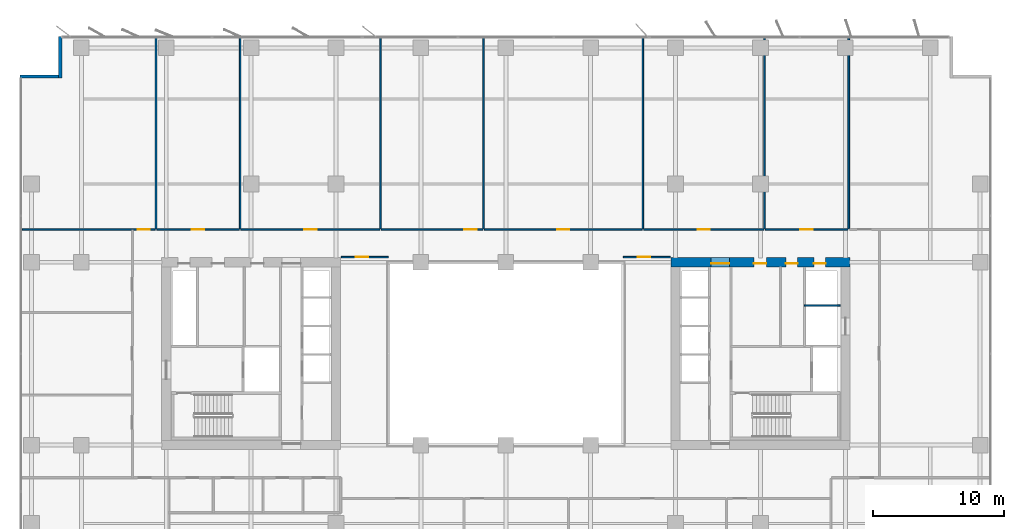
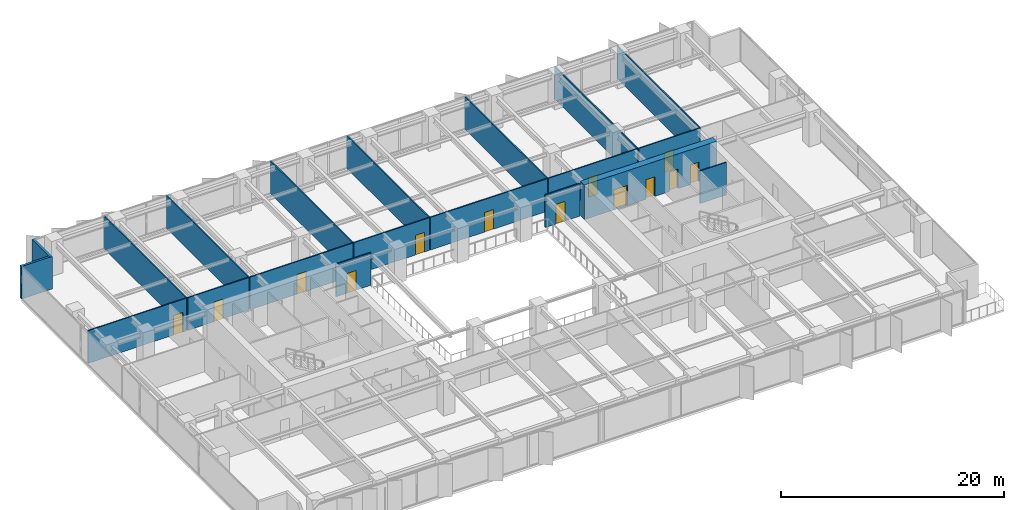
# One storey, part 15 of 20: 20 walls, 13 doors, 13 openings.
"""IFC4 building model written with IfcOpenShell, lengths in metres."""

from ifc_helpers import new_model, si_unit, direction, frame, frame_2d, origin, place, context, subcontext, project, spatial, rectangle, extrude, material, layer, layer_set, type_object, element, fill, save


model = new_model("IFC4")

# Units and contexts
model_context = context("Model", 3, precision=1e-05, world=origin(), true_north=direction((0.0, 1.0)))
body_context = subcontext(model_context, "Body", "Model", "MODEL_VIEW")
ifc_project = project(units=[si_unit("LENGTHUNIT", "METRE"), si_unit("AREAUNIT", "SQUARE_METRE"), si_unit("VOLUMEUNIT", "CUBIC_METRE"), si_unit("PLANEANGLEUNIT", "RADIAN"), si_unit("MASSUNIT", "GRAM", prefix="KILO")], contexts=[model_context])

# Site, building, storey
site_placement = place(None, origin())
site = spatial("IfcSite", under=ifc_project, at=site_placement, CompositionType="ELEMENT")
building_placement = place(site_placement, origin())
building = spatial("IfcBuilding", under=site, at=building_placement, Name="Putna Gate Headquarters", CompositionType="ELEMENT")
storey_placement = place(building_placement, frame((0.0, 0.0, 116.39990234375)))
storey = spatial("IfcBuildingStorey", under=building, at=storey_placement, Name="L28", CompositionType="ELEMENT", Elevation=116.39990234375)

# Wall, openings, doors
ifc_material_1 = material(Name="Concrete C60/75", Category="concrete")
ifc_layer_1 = layer(ifc_material_1, 0.699951171875)
ifc_layer_set_1 = layer_set([ifc_layer_1], Name="Concrete C60/75")
wall_type_1 = type_object("IfcWallType", Name="WALL-CORE-700", PredefinedType="SHEAR", material=ifc_layer_set_1)
wall_1_placement = place(storey_placement, frame((51.64990234375, 33.0, 0.0), z_axis=(0.0, 0.0, 1.0), x_axis=(1.0, 0.0, 0.0)))
wall_1 = element("IfcWall", 1, at=wall_1_placement, inside=storey, type_object=wall_type_1, Name="L28 EC Split Core Shear Wall N", PredefinedType="SHEAR", context=body_context, shape_type="SweptSolid", body=[
    extrude(rectangle(XDim=13.7001953125, YDim=0.699951171875, at=frame_2d((6.85009765625, 0.0))), origin(), (0.0, 0.0, 1.0), 3.800048828125),
])
opening_1_placement = place(wall_1_placement, frame((3.070068359375, 0.0, 0.0)))
opening_1 = element("IfcOpeningElement", 2, at=opening_1_placement, cuts=wall_1, Name="Opening FDD-140", PredefinedType="OPENING", context=body_context, shape_type="SweptSolid", body=[
    extrude(rectangle(XDim=1.39990234375, YDim=2.199951171875, at=frame_2d((0.699951171875, 1.10009765625))), frame((0.0, 0.35986328125, 0.0), z_axis=(0.0, -1.0, 0.0), x_axis=(1.0, 0.0, 0.0)), (0.0, 0.0, 1.0), 0.719970703125),
])
opening_2_placement = place(wall_1_placement, frame((10.949951171875, 0.0, 0.0)))
opening_2 = element("IfcOpeningElement", 3, at=opening_2_placement, cuts=wall_1, Name="Opening RD-90", PredefinedType="OPENING", context=body_context, shape_type="SweptSolid", body=[
    extrude(rectangle(XDim=0.89990234375, YDim=2.14990234375, at=frame_2d((0.449951171875, 1.074951171875))), frame((0.0, 0.35986328125, 0.0), z_axis=(0.0, -1.0, 0.0), x_axis=(1.0, 0.0, 0.0)), (0.0, 0.0, 1.0), 0.719970703125),
])
opening_3_placement = place(wall_1_placement, frame((6.35009765625, 0.0, 0.0)))
opening_3 = element("IfcOpeningElement", 4, at=opening_3_placement, cuts=wall_1, Name="Opening IDS-95", PredefinedType="OPENING", context=body_context, shape_type="SweptSolid", body=[
    extrude(rectangle(XDim=0.949951171875, YDim=2.14990234375, at=frame_2d((0.47509765625, 1.074951171875))), frame((0.0, 0.35986328125, 0.0), z_axis=(0.0, -1.0, 0.0), x_axis=(1.0, 0.0, 0.0)), (0.0, 0.0, 1.0), 0.719970703125),
])
opening_4_placement = place(wall_1_placement, frame((8.800048828125, 0.0, 0.0)))
opening_4 = element("IfcOpeningElement", 5, at=opening_4_placement, cuts=wall_1, Name="Opening IDS-90", PredefinedType="OPENING", context=body_context, shape_type="SweptSolid", body=[
    extrude(rectangle(XDim=0.89990234375, YDim=2.14990234375, at=frame_2d((0.449951171875, 1.074951171875))), frame((0.0, 0.35986328125, 0.0), z_axis=(0.0, -1.0, 0.0), x_axis=(1.0, 0.0, 0.0)), (0.0, 0.0, 1.0), 0.719970703125),
])
ifc_material_2 = material(Name="Double steel fire door", Category="steel")
door_type_1 = type_object("IfcDoorType", Name="DOOR-FIRE-DBL-1400", OperationType="DOUBLE_DOOR_SINGLE_SWING", PredefinedType="DOOR", material=ifc_material_2)
door_1_placement = place(opening_1_placement, origin())
door_1 = element("IfcDoor", 6, at=door_1_placement, inside=storey, type_object=door_type_1, Name="L28 East Lift Lobby North Door", OperationType="DOUBLE_DOOR_SINGLE_SWING", OverallHeight=2.199951171875, OverallWidth=1.39990234375, PredefinedType="DOOR", context=body_context, shape_type="SweptSolid", body=[
    extrude(rectangle(XDim=1.39990234375, YDim=2.199951171875, at=frame_2d((0.699951171875, 1.10009765625))), frame((0.0, -0.0751953125, 0.0), z_axis=(0.0, -1.0, 0.0), x_axis=(1.0, 0.0, 0.0)), (0.0, 0.0, 1.0), 0.050048828125),
])
fill(opening_1, door_1)
ifc_material_3 = material(Name="Fire-rated utility door")
door_type_2 = type_object("IfcDoorType", Name="DOOR-INT-900", OperationType="NOTDEFINED", PredefinedType="DOOR", material=ifc_material_3)
door_2_placement = place(opening_4_placement, origin())
door_2 = element("IfcDoor", 7, at=door_2_placement, inside=storey, type_object=door_type_2, Name="L28 Electrical Plant Door", OperationType="SINGLE_SWING_LEFT", OverallHeight=2.14990234375, OverallWidth=0.89990234375, PredefinedType="DOOR", context=body_context, shape_type="SweptSolid", body=[
    extrude(rectangle(XDim=0.89990234375, YDim=2.14990234375, at=frame_2d((0.449951171875, 1.074951171875))), frame((0.0, -0.0751953125, 0.0), z_axis=(0.0, -1.0, 0.0), x_axis=(1.0, 0.0, 0.0)), (0.0, 0.0, 1.0), 0.050048828125),
])
fill(opening_4, door_2)
ifc_material_4 = material(Name="Fire-rated service timber door", Category="wood")
door_type_3 = type_object("IfcDoorType", Name="DOOR-INT-950", OperationType="NOTDEFINED", PredefinedType="DOOR", material=ifc_material_4)
door_3_placement = place(opening_3_placement, origin())
door_3 = element("IfcDoor", 8, at=door_3_placement, inside=storey, type_object=door_type_3, Name="L28 East Store Door", OperationType="SINGLE_SWING_RIGHT", OverallHeight=2.14990234375, OverallWidth=0.949951171875, PredefinedType="DOOR", context=body_context, shape_type="SweptSolid", body=[
    extrude(rectangle(XDim=0.949951171875, YDim=2.14990234375, at=frame_2d((0.47509765625, 1.074951171875))), frame((0.0, -0.0751953125, 0.0), z_axis=(0.0, -1.0, 0.0), x_axis=(1.0, 0.0, 0.0)), (0.0, 0.0, 1.0), 0.050048828125),
])
fill(opening_3, door_3)
ifc_material_5 = material(Name="Steel riser access fire door", Category="steel")
door_type_4 = type_object("IfcDoorType", Name="DOOR-RISER-900", OperationType="NOTDEFINED", PredefinedType="DOOR", material=ifc_material_5)
door_4_placement = place(opening_2_placement, origin())
door_4 = element("IfcDoor", 9, at=door_4_placement, inside=storey, type_object=door_type_4, Name="L28 East Riser Access Door", OperationType="SINGLE_SWING_LEFT", OverallHeight=2.14990234375, OverallWidth=0.89990234375, PredefinedType="DOOR", context=body_context, shape_type="SweptSolid", body=[
    extrude(rectangle(XDim=0.89990234375, YDim=2.14990234375, at=frame_2d((0.449951171875, 1.074951171875))), frame((0.0, -0.0751953125, 0.0), z_axis=(0.0, -1.0, 0.0), x_axis=(1.0, 0.0, 0.0)), (0.0, 0.0, 1.0), 0.050048828125),
])
fill(opening_2, door_4)

# Walls
ifc_material_6 = material(Name="Precast concrete C40/50", Category="concrete")
ifc_layer_2 = layer(ifc_material_6, 0.239990234375)
ifc_layer_set_2 = layer_set([ifc_layer_2], Name="Precast concrete C40/50")
wall_type_2 = type_object("IfcWallType", Name="WALL-EXT-TERR-240", PredefinedType="STANDARD", material=ifc_layer_set_2)
for number, where, z_axis, x_axis, name in (
    (10, (4.8798828125, 47.10009765625, 0.0), (0.0, 0.0, 1.0), (0.0, 1.0, 0.0), "L28 Corner Notch Return Wall NW-V"),
    (11, (1.800048828125, 47.219970703125, 0.0), (0.0, 0.0, 1.0), (1.0, 0.0, 0.0), "L28 Corner Notch Return Wall NW-H"),
):
    element("IfcWall", number, at=place(storey_placement, frame(where, z_axis=z_axis, x_axis=x_axis)), inside=storey, type_object=wall_type_2, Name=name, PredefinedType="STANDARD", context=body_context, shape_type="SweptSolid", body=[
        extrude(rectangle(XDim=3.199951171875, YDim=0.239990234375, at=frame_2d((1.60009765625, 0.0))), origin(), (0.0, 0.0, 1.0), 3.565185546875),
    ])

# Wall, opening, door
ifc_material_7 = material(Name="Acoustic gypsum board on metal stud")
ifc_layer_3 = layer(ifc_material_7, 0.1201171875)
ifc_layer_set_3 = layer_set([ifc_layer_3], Name="Acoustic gypsum board on metal stud")
wall_type_3 = type_object("IfcWallType", Name="WALL-PART-120", PredefinedType="PARTITIONING", material=ifc_layer_set_3)
wall_2_placement = place(storey_placement, frame((26.39990234375, 33.39990234375, 0.0), z_axis=(0.0, 0.0, 1.0), x_axis=(1.0, 0.0, 0.0)))
wall_2 = element("IfcWall", 12, at=wall_2_placement, inside=storey, type_object=wall_type_3, Name="L28 Interior Wall PART-L28-ATR-W-N", PredefinedType="PARTITIONING", context=body_context, shape_type="SweptSolid", body=[
    extrude(rectangle(XDim=3.60009765625, YDim=0.1201171875, at=frame_2d((1.800048828125, 0.0))), origin(), (0.0, 0.0, 1.0), 3.565185546875),
])
opening_5_placement = place(wall_2_placement, frame((1.10009765625, 0.0, 0.0)))
opening_5 = element("IfcOpeningElement", 13, at=opening_5_placement, cuts=wall_2, Name="Opening ID-95", PredefinedType="OPENING", context=body_context, shape_type="SweptSolid", body=[
    extrude(rectangle(XDim=0.949951171875, YDim=2.14990234375, at=frame_2d((0.47509765625, 1.074951171875))), frame((0.0, 0.070068359375, 0.0), z_axis=(0.0, -1.0, 0.0), x_axis=(1.0, 0.0, 0.0)), (0.0, 0.0, 1.0), 0.14013671875),
])
ifc_material_8 = material(Name="Veneered acoustic timber door", Category="wood")
door_type_5 = type_object("IfcDoorType", Name="DOOR-OFF-950", OperationType="NOTDEFINED", PredefinedType="DOOR", material=ifc_material_8)
door_5_placement = place(opening_5_placement, origin())
door_5 = element("IfcDoor", 14, at=door_5_placement, inside=storey, type_object=door_type_5, Name="L28 West Atrium Lounge Door", OperationType="SINGLE_SWING_LEFT", OverallHeight=2.14990234375, OverallWidth=0.949951171875, PredefinedType="DOOR", context=body_context, shape_type="SweptSolid", body=[
    extrude(rectangle(XDim=0.949951171875, YDim=2.14990234375, at=frame_2d((0.47509765625, 1.074951171875))), frame((0.0, 0.02490234375, 0.0), z_axis=(0.0, -1.0, 0.0), x_axis=(1.0, 0.0, 0.0)), (0.0, 0.0, 1.0), 0.050048828125),
])
fill(opening_5, door_5)

wall_3_placement = place(storey_placement, frame((48.0, 33.39990234375, 0.0), z_axis=(0.0, 0.0, 1.0), x_axis=(1.0, 0.0, 0.0)))
wall_3 = element("IfcWall", 15, at=wall_3_placement, inside=storey, type_object=wall_type_3, Name="L28 Interior Wall PART-L28-ATR-E-N", PredefinedType="PARTITIONING", context=body_context, shape_type="SweptSolid", body=[
    extrude(rectangle(XDim=3.60009765625, YDim=0.1201171875, at=frame_2d((1.800048828125, 0.0))), origin(), (0.0, 0.0, 1.0), 3.565185546875),
])
opening_6_placement = place(wall_3_placement, frame((1.10009765625, 0.0, 0.0)))
opening_6 = element("IfcOpeningElement", 16, at=opening_6_placement, cuts=wall_3, Name="Opening ID-95", PredefinedType="OPENING", context=body_context, shape_type="SweptSolid", body=[
    extrude(rectangle(XDim=0.949951171875, YDim=2.14990234375, at=frame_2d((0.47509765625, 1.074951171875))), frame((0.0, 0.070068359375, 0.0), z_axis=(0.0, -1.0, 0.0), x_axis=(1.0, 0.0, 0.0)), (0.0, 0.0, 1.0), 0.14013671875),
])
door_6_placement = place(opening_6_placement, origin())
door_6 = element("IfcDoor", 17, at=door_6_placement, inside=storey, type_object=door_type_5, Name="L28 East Atrium Lounge Door", OperationType="SINGLE_SWING_RIGHT", OverallHeight=2.14990234375, OverallWidth=0.949951171875, PredefinedType="DOOR", context=body_context, shape_type="SweptSolid", body=[
    extrude(rectangle(XDim=0.949951171875, YDim=2.14990234375, at=frame_2d((0.47509765625, 1.074951171875))), frame((0.0, 0.02490234375, 0.0), z_axis=(0.0, -1.0, 0.0), x_axis=(1.0, 0.0, 0.0)), (0.0, 0.0, 1.0), 0.050048828125),
])
fill(opening_6, door_6)

# Walls
for number, where, z_axis, x_axis, name in (
    (18, (12.21240234375, 35.56005859375, 0.0), (0.0, 0.0, 1.0), (0.0, 1.0, 0.0), "L28 Interior Wall PART-L28-NB-DIV-01"),
    (19, (18.65380859375, 35.56005859375, 0.0), (0.0, 0.0, 1.0), (0.0, 1.0, 0.0), "L28 Interior Wall PART-L28-NB-DIV-02"),
    (20, (29.411865234375, 35.56005859375, 0.0), (0.0, 0.0, 1.0), (0.0, 1.0, 0.0), "L28 Interior Wall PART-L28-NB-DIV-03"),
    (21, (37.297119140625, 35.56005859375, 0.0), (0.0, 0.0, 1.0), (0.0, 1.0, 0.0), "L28 Interior Wall PART-L28-NB-DIV-04"),
    (22, (49.498779296875, 35.56005859375, 0.0), (0.0, 0.0, 1.0), (0.0, 1.0, 0.0), "L28 Interior Wall PART-L28-NB-DIV-05"),
    (23, (58.820556640625, 35.56005859375, 0.0), (0.0, 0.0, 1.0), (0.0, 1.0, 0.0), "L28 Interior Wall PART-L28-NB-DIV-06"),
    (24, (65.261962890625, 35.56005859375, 0.0), (0.0, 0.0, 1.0), (0.0, 1.0, 0.0), "L28 Interior Wall PART-L28-NB-DIV-07"),
):
    element("IfcWall", number, at=place(storey_placement, frame(where, z_axis=z_axis, x_axis=x_axis)), inside=storey, type_object=wall_type_3, Name=name, PredefinedType="PARTITIONING", context=body_context, shape_type="SweptSolid", body=[
        extrude(rectangle(XDim=14.719970703125, YDim=0.1201171875, at=frame_2d((7.35986328125, 0.0))), origin(), (0.0, 0.0, 1.0), 3.565185546875),
    ])
ifc_material_9 = material(Name="Fire-rated shaftwall gypsum board on metal stud")
ifc_layer_4 = layer(ifc_material_9, 0.1201171875)
ifc_layer_set_4 = layer_set([ifc_layer_4], Name="Fire-rated shaftwall gypsum board on metal stud")
wall_type_4 = type_object("IfcWallType", Name="WALL-PART-120-EI120", PredefinedType="PARTITIONING", material=ifc_layer_set_4)
wall_4_placement = place(storey_placement, frame((61.8701171875, 29.699951171875, 0.0), z_axis=(0.0, 0.0, 1.0), x_axis=(1.0, 0.0, 0.0)))
element("IfcWall", 25, at=wall_4_placement, inside=storey, type_object=wall_type_4, Name="L28 Interior Wall CWINT-L28-EC-LF15-N", PredefinedType="PARTITIONING", context=body_context, shape_type="SweptSolid", body=[
    extrude(rectangle(XDim=2.72998046875, YDim=0.1201171875, at=frame_2d((1.364990234375, 0.0))), origin(), (0.0, 0.0, 1.0), 3.565185546875),
])

# Wall, opening, door
ifc_material_10 = material(Name="Fire-rated gypsum board on metal stud")
ifc_layer_5 = layer(ifc_material_10, 0.1201171875)
ifc_layer_set_5 = layer_set([ifc_layer_5], Name="Fire-rated gypsum board on metal stud")
wall_type_5 = type_object("IfcWallType", Name="WALL-PART-120-RATED", PredefinedType="PARTITIONING", material=ifc_layer_set_5)
wall_5_placement = place(storey_placement, frame((1.97998046875, 35.5, 0.0), z_axis=(0.0, 0.0, 1.0), x_axis=(1.0, 0.0, 0.0)))
wall_5 = element("IfcWall", 26, at=wall_5_placement, inside=storey, type_object=wall_type_5, Name="L28 Interior Wall PART-L28-NB-CW-01", PredefinedType="PARTITIONING", context=body_context, shape_type="SweptSolid", body=[
    extrude(rectangle(XDim=10.17236328125, YDim=0.1201171875, at=frame_2d((5.086181640625, 0.0))), origin(), (0.0, 0.0, 1.0), 3.565185546875),
])
opening_7_placement = place(wall_5_placement, frame((8.8212890625, 0.0, 0.0)))
opening_7 = element("IfcOpeningElement", 27, at=opening_7_placement, cuts=wall_5, Name="Opening FD-95", PredefinedType="OPENING", context=body_context, shape_type="SweptSolid", body=[
    extrude(rectangle(XDim=0.949951171875, YDim=2.14990234375, at=frame_2d((0.47509765625, 1.074951171875))), frame((0.0, 0.070068359375, 0.0), z_axis=(0.0, -1.0, 0.0), x_axis=(1.0, 0.0, 0.0)), (0.0, 0.0, 1.0), 0.14013671875),
])
ifc_material_11 = material(Name="Acoustic timber fire door", Category="wood")
door_type_6 = type_object("IfcDoorType", Name="DOOR-FIRE-950", OperationType="NOTDEFINED", PredefinedType="DOOR", material=ifc_material_11)
door_7_placement = place(opening_7_placement, origin())
door_7 = element("IfcDoor", 28, at=door_7_placement, inside=storey, type_object=door_type_6, Name="L28 Quiet Wellness Focus Studio 1 Door", OperationType="SINGLE_SWING_LEFT", OverallHeight=2.14990234375, OverallWidth=0.949951171875, PredefinedType="DOOR", context=body_context, shape_type="SweptSolid", body=[
    extrude(rectangle(XDim=0.949951171875, YDim=2.14990234375, at=frame_2d((0.47509765625, 1.074951171875))), frame((0.0, 0.02490234375, 0.0), z_axis=(0.0, -1.0, 0.0), x_axis=(1.0, 0.0, 0.0)), (0.0, 0.0, 1.0), 0.050048828125),
])
fill(opening_7, door_7)

wall_6_placement = place(storey_placement, frame((12.272216796875, 35.5, 0.0), z_axis=(0.0, 0.0, 1.0), x_axis=(1.0, 0.0, 0.0)))
wall_6 = element("IfcWall", 29, at=wall_6_placement, inside=storey, type_object=wall_type_5, Name="L28 Interior Wall PART-L28-NB-CW-02", PredefinedType="PARTITIONING", context=body_context, shape_type="SweptSolid", body=[
    extrude(rectangle(XDim=6.321533203125, YDim=0.1201171875, at=frame_2d((3.16064453125, 0.0))), origin(), (0.0, 0.0, 1.0), 3.565185546875),
])
opening_8_placement = place(wall_6_placement, frame((2.685791015625, 0.0, 0.0)))
opening_8 = element("IfcOpeningElement", 30, at=opening_8_placement, cuts=wall_6, Name="Opening FD-95", PredefinedType="OPENING", context=body_context, shape_type="SweptSolid", body=[
    extrude(rectangle(XDim=0.949951171875, YDim=2.14990234375, at=frame_2d((0.47509765625, 1.074951171875))), frame((0.0, 0.070068359375, 0.0), z_axis=(0.0, -1.0, 0.0), x_axis=(1.0, 0.0, 0.0)), (0.0, 0.0, 1.0), 0.14013671875),
])
door_8_placement = place(opening_8_placement, origin())
door_8 = element("IfcDoor", 31, at=door_8_placement, inside=storey, type_object=door_type_6, Name="L28 Cellular Office 3 Door", OperationType="SINGLE_SWING_RIGHT", OverallHeight=2.14990234375, OverallWidth=0.949951171875, PredefinedType="DOOR", context=body_context, shape_type="SweptSolid", body=[
    extrude(rectangle(XDim=0.949951171875, YDim=2.14990234375, at=frame_2d((0.47509765625, 1.074951171875))), frame((0.0, 0.02490234375, 0.0), z_axis=(0.0, -1.0, 0.0), x_axis=(1.0, 0.0, 0.0)), (0.0, 0.0, 1.0), 0.050048828125),
])
fill(opening_8, door_8)

wall_7_placement = place(storey_placement, frame((18.7138671875, 35.5, 0.0), z_axis=(0.0, 0.0, 1.0), x_axis=(1.0, 0.0, 0.0)))
wall_7 = element("IfcWall", 32, at=wall_7_placement, inside=storey, type_object=wall_type_5, Name="L28 Interior Wall PART-L28-NB-CW-03", PredefinedType="PARTITIONING", context=body_context, shape_type="SweptSolid", body=[
    extrude(rectangle(XDim=10.637939453125, YDim=0.1201171875, at=frame_2d((5.31884765625, 0.0))), origin(), (0.0, 0.0, 1.0), 3.565185546875),
])
opening_9_placement = place(wall_7_placement, frame((4.843994140625, 0.0, 0.0)))
opening_9 = element("IfcOpeningElement", 33, at=opening_9_placement, cuts=wall_7, Name="Opening FD-95", PredefinedType="OPENING", context=body_context, shape_type="SweptSolid", body=[
    extrude(rectangle(XDim=0.949951171875, YDim=2.14990234375, at=frame_2d((0.47509765625, 1.074951171875))), frame((0.0, 0.070068359375, 0.0), z_axis=(0.0, -1.0, 0.0), x_axis=(1.0, 0.0, 0.0)), (0.0, 0.0, 1.0), 0.14013671875),
])
door_9_placement = place(opening_9_placement, origin())
door_9 = element("IfcDoor", 34, at=door_9_placement, inside=storey, type_object=door_type_6, Name="L28 Cellular Office 4 Door", OperationType="SINGLE_SWING_LEFT", OverallHeight=2.14990234375, OverallWidth=0.949951171875, PredefinedType="DOOR", context=body_context, shape_type="SweptSolid", body=[
    extrude(rectangle(XDim=0.949951171875, YDim=2.14990234375, at=frame_2d((0.47509765625, 1.074951171875))), frame((0.0, 0.02490234375, 0.0), z_axis=(0.0, -1.0, 0.0), x_axis=(1.0, 0.0, 0.0)), (0.0, 0.0, 1.0), 0.050048828125),
])
fill(opening_9, door_9)

wall_8_placement = place(storey_placement, frame((29.4716796875, 35.5, 0.0), z_axis=(0.0, 0.0, 1.0), x_axis=(1.0, 0.0, 0.0)))
wall_8 = element("IfcWall", 35, at=wall_8_placement, inside=storey, type_object=wall_type_5, Name="L28 Interior Wall PART-L28-NB-CW-04", PredefinedType="PARTITIONING", context=body_context, shape_type="SweptSolid", body=[
    extrude(rectangle(XDim=7.765380859375, YDim=0.1201171875, at=frame_2d((3.8828125, 0.0))), origin(), (0.0, 0.0, 1.0), 3.565185546875),
])
opening_10_placement = place(wall_8_placement, frame((6.335205078125, 0.0, 0.0)))
opening_10 = element("IfcOpeningElement", 36, at=opening_10_placement, cuts=wall_8, Name="Opening FD-95", PredefinedType="OPENING", context=body_context, shape_type="SweptSolid", body=[
    extrude(rectangle(XDim=0.949951171875, YDim=2.14990234375, at=frame_2d((0.47509765625, 1.074951171875))), frame((0.0, 0.070068359375, 0.0), z_axis=(0.0, -1.0, 0.0), x_axis=(1.0, 0.0, 0.0)), (0.0, 0.0, 1.0), 0.14013671875),
])
door_10_placement = place(opening_10_placement, origin())
door_10 = element("IfcDoor", 37, at=door_10_placement, inside=storey, type_object=door_type_6, Name="L28 Conference Meeting Room 1 Door", OperationType="SINGLE_SWING_RIGHT", OverallHeight=2.14990234375, OverallWidth=0.949951171875, PredefinedType="DOOR", context=body_context, shape_type="SweptSolid", body=[
    extrude(rectangle(XDim=0.949951171875, YDim=2.14990234375, at=frame_2d((0.47509765625, 1.074951171875))), frame((0.0, 0.02490234375, 0.0), z_axis=(0.0, -1.0, 0.0), x_axis=(1.0, 0.0, 0.0)), (0.0, 0.0, 1.0), 0.050048828125),
])
fill(opening_10, door_10)

wall_9_placement = place(storey_placement, frame((37.357177734375, 35.5, 0.0), z_axis=(0.0, 0.0, 1.0), x_axis=(1.0, 0.0, 0.0)))
wall_9 = element("IfcWall", 38, at=wall_9_placement, inside=storey, type_object=wall_type_5, Name="L28 Interior Wall PART-L28-NB-CW-05", PredefinedType="PARTITIONING", context=body_context, shape_type="SweptSolid", body=[
    extrude(rectangle(XDim=12.081787109375, YDim=0.1201171875, at=frame_2d((6.041015625, 0.0))), origin(), (0.0, 0.0, 1.0), 3.565185546875),
])
opening_11_placement = place(wall_9_placement, frame((5.56591796875, 0.0, 0.0)))
opening_11 = element("IfcOpeningElement", 39, at=opening_11_placement, cuts=wall_9, Name="Opening FD-95", PredefinedType="OPENING", context=body_context, shape_type="SweptSolid", body=[
    extrude(rectangle(XDim=0.949951171875, YDim=2.14990234375, at=frame_2d((0.47509765625, 1.074951171875))), frame((0.0, 0.070068359375, 0.0), z_axis=(0.0, -1.0, 0.0), x_axis=(1.0, 0.0, 0.0)), (0.0, 0.0, 1.0), 0.14013671875),
])
door_11_placement = place(opening_11_placement, origin())
door_11 = element("IfcDoor", 40, at=door_11_placement, inside=storey, type_object=door_type_6, Name="L28 Conference Meeting Room 2 Door", OperationType="SINGLE_SWING_LEFT", OverallHeight=2.14990234375, OverallWidth=0.949951171875, PredefinedType="DOOR", context=body_context, shape_type="SweptSolid", body=[
    extrude(rectangle(XDim=0.949951171875, YDim=2.14990234375, at=frame_2d((0.47509765625, 1.074951171875))), frame((0.0, 0.02490234375, 0.0), z_axis=(0.0, -1.0, 0.0), x_axis=(1.0, 0.0, 0.0)), (0.0, 0.0, 1.0), 0.050048828125),
])
fill(opening_11, door_11)

wall_10_placement = place(storey_placement, frame((49.558837890625, 35.5, 0.0), z_axis=(0.0, 0.0, 1.0), x_axis=(1.0, 0.0, 0.0)))
wall_10 = element("IfcWall", 41, at=wall_10_placement, inside=storey, type_object=wall_type_5, Name="L28 Interior Wall PART-L28-NB-CW-06", PredefinedType="PARTITIONING", context=body_context, shape_type="SweptSolid", body=[
    extrude(rectangle(XDim=9.20166015625, YDim=0.1201171875, at=frame_2d((4.600830078125, 0.0))), origin(), (0.0, 0.0, 1.0), 3.565185546875),
])
opening_12_placement = place(wall_10_placement, frame((4.125732421875, 0.0, 0.0)))
opening_12 = element("IfcOpeningElement", 42, at=opening_12_placement, cuts=wall_10, Name="Opening FD-95", PredefinedType="OPENING", context=body_context, shape_type="SweptSolid", body=[
    extrude(rectangle(XDim=0.949951171875, YDim=2.14990234375, at=frame_2d((0.47509765625, 1.074951171875))), frame((0.0, 0.070068359375, 0.0), z_axis=(0.0, -1.0, 0.0), x_axis=(1.0, 0.0, 0.0)), (0.0, 0.0, 1.0), 0.14013671875),
])
door_12_placement = place(opening_12_placement, origin())
door_12 = element("IfcDoor", 43, at=door_12_placement, inside=storey, type_object=door_type_6, Name="L28 Conference Meeting Room 3 Door", OperationType="SINGLE_SWING_RIGHT", OverallHeight=2.14990234375, OverallWidth=0.949951171875, PredefinedType="DOOR", context=body_context, shape_type="SweptSolid", body=[
    extrude(rectangle(XDim=0.949951171875, YDim=2.14990234375, at=frame_2d((0.47509765625, 1.074951171875))), frame((0.0, 0.02490234375, 0.0), z_axis=(0.0, -1.0, 0.0), x_axis=(1.0, 0.0, 0.0)), (0.0, 0.0, 1.0), 0.050048828125),
])
fill(opening_12, door_12)

wall_11_placement = place(storey_placement, frame((58.880615234375, 35.5, 0.0), z_axis=(0.0, 0.0, 1.0), x_axis=(1.0, 0.0, 0.0)))
wall_11 = element("IfcWall", 44, at=wall_11_placement, inside=storey, type_object=wall_type_5, Name="L28 Interior Wall PART-L28-NB-CW-07", PredefinedType="PARTITIONING", context=body_context, shape_type="SweptSolid", body=[
    extrude(rectangle(XDim=6.3212890625, YDim=0.1201171875, at=frame_2d((3.16064453125, 0.0))), origin(), (0.0, 0.0, 1.0), 3.565185546875),
])
opening_13_placement = place(wall_11_placement, frame((2.685791015625, 0.0, 0.0)))
opening_13 = element("IfcOpeningElement", 45, at=opening_13_placement, cuts=wall_11, Name="Opening FD-95", PredefinedType="OPENING", context=body_context, shape_type="SweptSolid", body=[
    extrude(rectangle(XDim=0.949951171875, YDim=2.14990234375, at=frame_2d((0.47509765625, 1.074951171875))), frame((0.0, 0.070068359375, 0.0), z_axis=(0.0, -1.0, 0.0), x_axis=(1.0, 0.0, 0.0)), (0.0, 0.0, 1.0), 0.14013671875),
])
door_13_placement = place(opening_13_placement, origin())
door_13 = element("IfcDoor", 46, at=door_13_placement, inside=storey, type_object=door_type_6, Name="L28 Conference Meeting Room 4 Door", OperationType="SINGLE_SWING_LEFT", OverallHeight=2.14990234375, OverallWidth=0.949951171875, PredefinedType="DOOR", context=body_context, shape_type="SweptSolid", body=[
    extrude(rectangle(XDim=0.949951171875, YDim=2.14990234375, at=frame_2d((0.47509765625, 1.074951171875))), frame((0.0, 0.02490234375, 0.0), z_axis=(0.0, -1.0, 0.0), x_axis=(1.0, 0.0, 0.0)), (0.0, 0.0, 1.0), 0.050048828125),
])
fill(opening_13, door_13)

save(model, "model.ifc")
